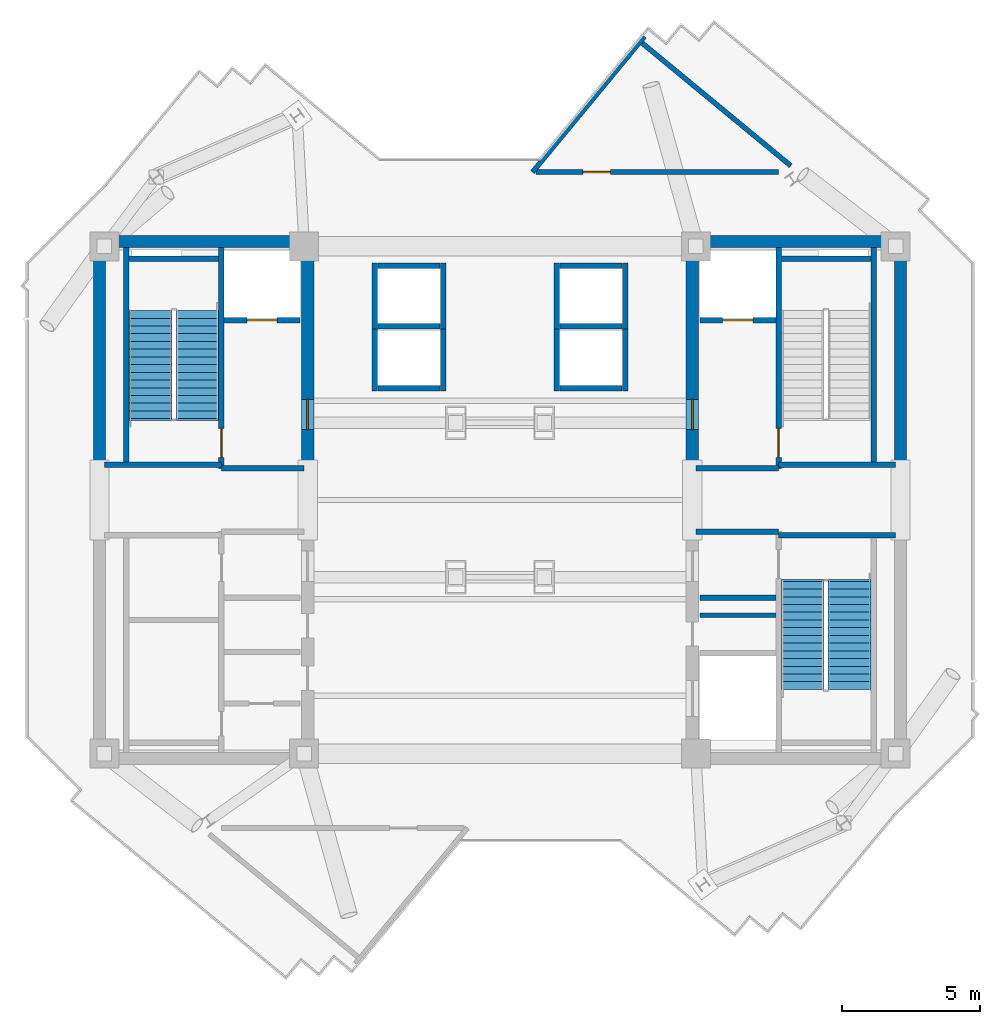
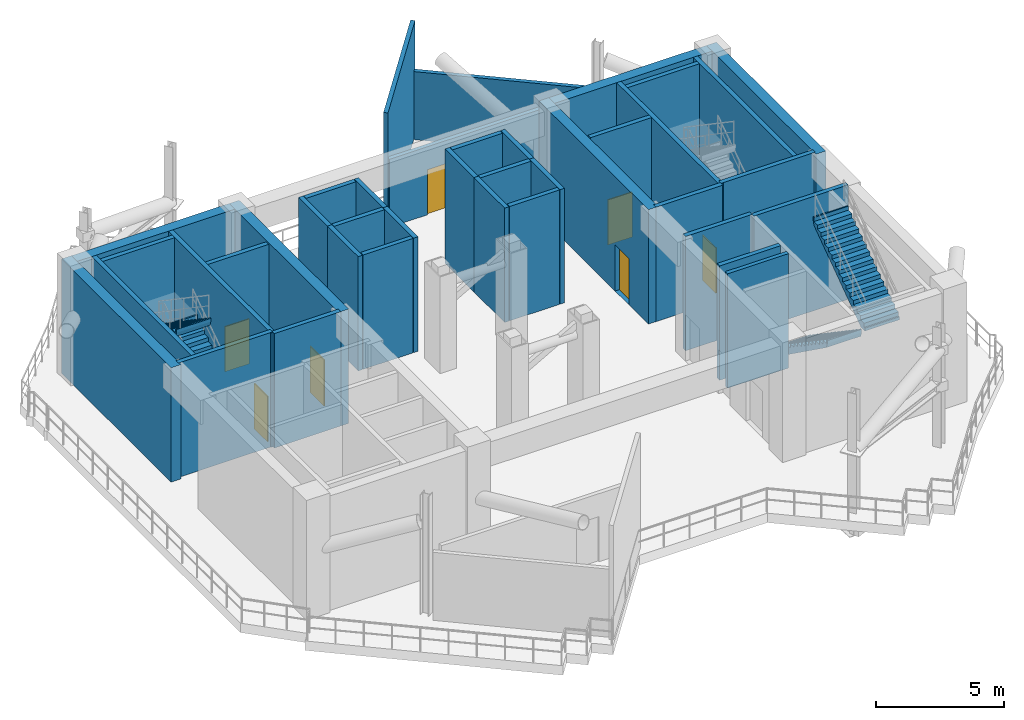
# One storey, part 3 of 7: 39 walls, 7 doors, 4 stair flights, 7 openings, 2 elements without a shape of their own.
"""IFC4 building model written with IfcOpenShell, lengths in metres."""

from ifc_helpers import new_model, si_unit, direction, frame, frame_2d, origin, place, context, subcontext, project, spatial, polyline, rectangle, outline, extrude, source, transform, mapped, material, layer, layer_set, type_object, element, fill, aggregate, save


model = new_model("IFC4")

# Units and contexts
model_context = context("Model", 3, precision=1e-05, world=origin(), true_north=direction((0.0, 1.0)))
body_context = subcontext(model_context, "Body", "Model", "MODEL_VIEW")
ifc_project = project(units=[si_unit("LENGTHUNIT", "METRE"), si_unit("AREAUNIT", "SQUARE_METRE"), si_unit("VOLUMEUNIT", "CUBIC_METRE"), si_unit("PLANEANGLEUNIT", "RADIAN"), si_unit("MASSUNIT", "GRAM", prefix="KILO")], contexts=[model_context])

# Site, building, storey
site_placement = place(None, origin())
site = spatial("IfcSite", under=ifc_project, at=site_placement, CompositionType="ELEMENT")
building_placement = place(site_placement, origin())
building = spatial("IfcBuilding", under=site, at=building_placement, Name="Zahravan Cultural Tower", CompositionType="ELEMENT")
storey_placement = place(building_placement, frame((0.0, 0.0, 314.10009765625)))
storey = spatial("IfcBuildingStorey", under=building, at=storey_placement, Name="L76", CompositionType="ELEMENT", Elevation=314.10009765625)

# Wall, opening, door
ifc_material_1 = material(Name="Concrete C50/60", Category="concrete")
ifc_layer_1 = layer(ifc_material_1, 0.449951171875)
ifc_layer_set_1 = layer_set([ifc_layer_1], Name="Concrete C50/60")
wall_type_1 = type_object("IfcWallType", Name="CW-SHEAR-450-C50", PredefinedType="SHEAR", material=ifc_layer_set_1)
wall_1_placement = place(storey_placement, frame((29.02490234375, 28.050048828125, 0.0), z_axis=(0.0, 0.0, 1.0), x_axis=(0.0, 1.0, 0.0)))
wall_1 = element("IfcWall", 1, at=wall_1_placement, inside=storey, type_object=wall_type_1, Name="L76 Core Shear Wall CW-W-EN-L76", PredefinedType="SHEAR", context=body_context, shape_type="SweptSolid", body=[
    extrude(rectangle(XDim=8.550048828125, YDim=0.449951171875, at=frame_2d((4.27490234375, 0.0))), origin(), (0.0, 0.0, 1.0), 5.449951171875),
])
opening_1_placement = place(wall_1_placement, frame((1.5, 0.0, 0.0)))
opening_1 = element("IfcOpeningElement", 2, at=opening_1_placement, cuts=wall_1, Name="Opening D-L76-06", PredefinedType="OPENING", context=body_context, shape_type="SweptSolid", body=[
    extrude(rectangle(XDim=1.10009765625, YDim=2.199951171875, at=frame_2d((0.550048828125, 1.10009765625))), frame((0.0, 0.23486328125, 0.0), z_axis=(0.0, -1.0, 0.0), x_axis=(1.0, 0.0, 0.0)), (0.0, 0.0, 1.0), 0.469970703125),
])
ifc_material_2 = material(Name="Steel ASTM A572 Grade 50", Category="steel")
door_type_1 = type_object("IfcDoorType", Name="DR-LOBBY-1100", OperationType="NOTDEFINED", PredefinedType="DOOR", material=ifc_material_2)
shared_shape_1 = source(origin(), body_context, "Body", "SweptSolid", [
    extrude(rectangle(XDim=1.10009765625, YDim=2.199951171875, at=frame_2d((0.550048828125, 1.10009765625))), frame((0.0, 0.02490234375, 0.0), z_axis=(0.0, -1.0, 0.0), x_axis=(1.0, 0.0, 0.0)), (0.0, 0.0, 1.0), 0.050048828125),
])
door_1_placement = place(opening_1_placement, origin())
door_1 = element("IfcDoor", 3, at=door_1_placement, inside=storey, type_object=door_type_1, Name="L76 Door D-L76-06", OperationType="SINGLE_SWING_LEFT", OverallHeight=2.199951171875, OverallWidth=1.10009765625, PredefinedType="DOOR", context=body_context, shape_type="MappedRepresentation", body=[
    mapped(shared_shape_1, transform((0.0, 0.0, 0.0), x_axis=(1.0, 0.0, 0.0), y_axis=(0.0, 1.0, 0.0), z_axis=(0.0, 0.0, 1.0), scale=1.0)),
])
fill(opening_1, door_1)

wall_2_placement = place(storey_placement, frame((42.97509765625, 28.050048828125, 0.0), z_axis=(0.0, 0.0, 1.0), x_axis=(0.0, 1.0, 0.0)))
wall_2 = element("IfcWall", 4, at=wall_2_placement, inside=storey, type_object=wall_type_1, Name="L76 Core Shear Wall CW-E-WN-L76", PredefinedType="SHEAR", context=body_context, shape_type="SweptSolid", body=[
    extrude(rectangle(XDim=8.550048828125, YDim=0.449951171875, at=frame_2d((4.27490234375, 0.0))), origin(), (0.0, 0.0, 1.0), 5.449951171875),
])
opening_2_placement = place(wall_2_placement, frame((1.5, 0.0, 0.0)))
opening_2 = element("IfcOpeningElement", 5, at=opening_2_placement, cuts=wall_2, Name="Opening D-L76-07", PredefinedType="OPENING", context=body_context, shape_type="SweptSolid", body=[
    extrude(rectangle(XDim=1.10009765625, YDim=2.199951171875, at=frame_2d((0.550048828125, 1.10009765625))), frame((0.0, 0.23486328125, 0.0), z_axis=(0.0, -1.0, 0.0), x_axis=(1.0, 0.0, 0.0)), (0.0, 0.0, 1.0), 0.469970703125),
])
door_2_placement = place(opening_2_placement, origin())
door_2 = element("IfcDoor", 6, at=door_2_placement, inside=storey, type_object=door_type_1, Name="L76 Door D-L76-07", OperationType="SINGLE_SWING_RIGHT", OverallHeight=2.199951171875, OverallWidth=1.10009765625, PredefinedType="DOOR", context=body_context, shape_type="MappedRepresentation", body=[
    mapped(shared_shape_1, transform((0.0, 0.0, 0.0), x_axis=(1.0, 0.0, 0.0), y_axis=(0.0, 1.0, 0.0), z_axis=(0.0, 0.0, 1.0), scale=1.0)),
])
fill(opening_2, door_2)

ifc_material_3 = material(Name="Gypsum plasterboard partition")
ifc_layer_2 = layer(ifc_material_3, 0.179931640625)
ifc_layer_set_2 = layer_set([ifc_layer_2], Name="Gypsum plasterboard partition")
wall_type_2 = type_object("IfcWallType", Name="W-COMP-180", PredefinedType="PARTITIONING", material=ifc_layer_set_2)
wall_3_placement = place(storey_placement, frame((46.097900390625, 38.889892578125, 0.0), z_axis=(0.0, 0.0, 1.0), x_axis=(-1.0, 0.0, 0.0)))
wall_3 = element("IfcWall", 7, at=wall_3_placement, inside=storey, type_object=wall_type_2, Name="L76 Interior Wall 046", PredefinedType="PARTITIONING", context=body_context, shape_type="SweptSolid", body=[
    extrude(rectangle(XDim=8.797119140625, YDim=0.179931640625, at=frame_2d((4.3984375, 0.0))), origin(), (0.0, 0.0, 1.0), 3.241943359375),
])
opening_3_placement = place(wall_3_placement, frame((6.095703125, 0.0, 0.0)))
opening_3 = element("IfcOpeningElement", 8, at=opening_3_placement, cuts=wall_3, Name="Opening D-L76-14", PredefinedType="OPENING", context=body_context, shape_type="SweptSolid", body=[
    extrude(rectangle(XDim=1.0, YDim=2.14990234375, at=frame_2d((0.5, 1.074951171875))), frame((0.0, 0.099853515625, 0.0), z_axis=(0.0, -1.0, 0.0), x_axis=(1.0, 0.0, 0.0)), (0.0, 0.0, 1.0), 0.199951171875),
])
door_type_2 = type_object("IfcDoorType", Name="DR-COMP-1000", OperationType="NOTDEFINED", PredefinedType="DOOR", material=ifc_material_2)
shared_shape_2 = source(origin(), body_context, "Body", "SweptSolid", [
    extrude(rectangle(XDim=1.0, YDim=2.14990234375, at=frame_2d((0.5, 1.074951171875))), frame((0.0, 0.02490234375, 0.0), z_axis=(0.0, -1.0, 0.0), x_axis=(1.0, 0.0, 0.0)), (0.0, 0.0, 1.0), 0.050048828125),
])
door_3_placement = place(opening_3_placement, origin())
door_3 = element("IfcDoor", 9, at=door_3_placement, inside=storey, type_object=door_type_2, Name="L76 Door D-L76-14", OperationType="SINGLE_SWING_LEFT", OverallHeight=2.14990234375, OverallWidth=1.0, PredefinedType="DOOR", context=body_context, shape_type="MappedRepresentation", body=[
    mapped(shared_shape_2, transform((0.0, 0.0, 0.0), x_axis=(1.0, 0.0, 0.0), y_axis=(0.0, 1.0, 0.0), z_axis=(0.0, 0.0, 1.0), scale=1.0)),
])
fill(opening_3, door_3)

ifc_material_4 = material(Name="Concrete C45/55", Category="concrete")
ifc_layer_3 = layer(ifc_material_4, 0.199951171875)
ifc_layer_set_3 = layer_set([ifc_layer_3], Name="Concrete C45/55")
wall_type_3 = type_object("IfcWallType", Name="W-SHAFT-200", PredefinedType="SOLIDWALL", material=ifc_layer_set_3)
wall_4_placement = place(storey_placement, frame((25.89990234375, 28.14990234375, 0.0), z_axis=(0.0, 0.0, 1.0), x_axis=(0.0, 1.0, 0.0)))
wall_4 = element("IfcWall", 10, at=wall_4_placement, inside=storey, type_object=wall_type_3, Name="L76 Interior Wall 006", PredefinedType="SOLIDWALL", context=body_context, shape_type="SweptSolid", body=[
    extrude(rectangle(XDim=8.0, YDim=0.199951171875, at=frame_2d((4.0, 0.0))), origin(), (0.0, 0.0, 1.0), 5.449951171875),
])
opening_4_placement = place(wall_4_placement, frame((0.39990234375, 0.0, 0.0)))
opening_4 = element("IfcOpeningElement", 11, at=opening_4_placement, cuts=wall_4, Name="Opening D-L76-01", PredefinedType="OPENING", context=body_context, shape_type="SweptSolid", body=[
    extrude(rectangle(XDim=1.050048828125, YDim=2.14990234375, at=frame_2d((0.52490234375, 1.074951171875))), frame((0.0, 0.10986328125, 0.0), z_axis=(0.0, -1.0, 0.0), x_axis=(1.0, 0.0, 0.0)), (0.0, 0.0, 1.0), 0.219970703125),
])
door_type_3 = type_object("IfcDoorType", Name="DR-STAIR-1050", OperationType="NOTDEFINED", PredefinedType="DOOR", material=ifc_material_2)
shared_shape_3 = source(origin(), body_context, "Body", "SweptSolid", [
    extrude(rectangle(XDim=1.050048828125, YDim=2.14990234375, at=frame_2d((0.52490234375, 1.074951171875))), frame((0.0, 0.02490234375, 0.0), z_axis=(0.0, -1.0, 0.0), x_axis=(1.0, 0.0, 0.0)), (0.0, 0.0, 1.0), 0.050048828125),
])
door_4_placement = place(opening_4_placement, origin())
door_4 = element("IfcDoor", 12, at=door_4_placement, inside=storey, type_object=door_type_3, Name="L76 Door D-L76-01", OperationType="SINGLE_SWING_RIGHT", OverallHeight=2.14990234375, OverallWidth=1.050048828125, PredefinedType="DOOR", context=body_context, shape_type="MappedRepresentation", body=[
    mapped(shared_shape_3, transform((0.0, 0.0, 0.0), x_axis=(1.0, 0.0, 0.0), y_axis=(0.0, 1.0, 0.0), z_axis=(0.0, 0.0, 1.0), scale=1.0)),
])
fill(opening_4, door_4)

wall_5_placement = place(storey_placement, frame((46.10009765625, 28.14990234375, 0.0), z_axis=(0.0, 0.0, 1.0), x_axis=(0.0, 1.0, 0.0)))
wall_5 = element("IfcWall", 13, at=wall_5_placement, inside=storey, type_object=wall_type_3, Name="L76 Interior Wall 008", PredefinedType="SOLIDWALL", context=body_context, shape_type="SweptSolid", body=[
    extrude(rectangle(XDim=8.0, YDim=0.199951171875, at=frame_2d((4.0, 0.0))), origin(), (0.0, 0.0, 1.0), 5.449951171875),
])
opening_5_placement = place(wall_5_placement, frame((0.39990234375, 0.0, 0.0)))
opening_5 = element("IfcOpeningElement", 14, at=opening_5_placement, cuts=wall_5, Name="Opening D-L76-02", PredefinedType="OPENING", context=body_context, shape_type="SweptSolid", body=[
    extrude(rectangle(XDim=1.050048828125, YDim=2.14990234375, at=frame_2d((0.52490234375, 1.074951171875))), frame((0.0, 0.10986328125, 0.0), z_axis=(0.0, -1.0, 0.0), x_axis=(1.0, 0.0, 0.0)), (0.0, 0.0, 1.0), 0.219970703125),
])
door_5_placement = place(opening_5_placement, origin())
door_5 = element("IfcDoor", 15, at=door_5_placement, inside=storey, type_object=door_type_3, Name="L76 Door D-L76-02", OperationType="SINGLE_SWING_LEFT", OverallHeight=2.14990234375, OverallWidth=1.050048828125, PredefinedType="DOOR", context=body_context, shape_type="MappedRepresentation", body=[
    mapped(shared_shape_3, transform((0.0, 0.0, 0.0), x_axis=(1.0, 0.0, 0.0), y_axis=(0.0, 1.0, 0.0), z_axis=(0.0, 0.0, 1.0), scale=1.0)),
])
fill(opening_5, door_5)

wall_6_placement = place(storey_placement, frame((26.0, 33.52001953125, 0.0), z_axis=(0.0, 0.0, 1.0), x_axis=(1.0, 0.0, 0.0)))
wall_6 = element("IfcWall", 16, at=wall_6_placement, inside=storey, type_object=wall_type_3, Name="L76 Interior Wall 022", PredefinedType="SOLIDWALL", context=body_context, shape_type="SweptSolid", body=[
    extrude(rectangle(XDim=2.75, YDim=0.199951171875, at=frame_2d((1.375, 0.0))), origin(), (0.0, 0.0, 1.0), 5.449951171875),
])
opening_6_placement = place(wall_6_placement, frame((0.820068359375, 0.0, 0.0)))
opening_6 = element("IfcOpeningElement", 17, at=opening_6_placement, cuts=wall_6, Name="Opening LD-L76-01", PredefinedType="OPENING", context=body_context, shape_type="SweptSolid", body=[
    extrude(rectangle(XDim=1.10009765625, YDim=2.14990234375, at=frame_2d((0.550048828125, 1.074951171875))), frame((0.0, 0.10986328125, 0.0), z_axis=(0.0, -1.0, 0.0), x_axis=(1.0, 0.0, 0.0)), (0.0, 0.0, 1.0), 0.219970703125),
])
door_type_4 = type_object("IfcDoorType", Name="DR-LIFT-1100", OperationType="DOUBLE_DOOR_SLIDING", PredefinedType="DOOR", material=ifc_material_2)
shared_shape_4 = source(origin(), body_context, "Body", "SweptSolid", [
    extrude(rectangle(XDim=1.10009765625, YDim=2.14990234375, at=frame_2d((0.550048828125, 1.074951171875))), frame((0.0, 0.02490234375, 0.0), z_axis=(0.0, -1.0, 0.0), x_axis=(1.0, 0.0, 0.0)), (0.0, 0.0, 1.0), 0.050048828125),
])
door_6_placement = place(opening_6_placement, origin())
door_6 = element("IfcDoor", 18, at=door_6_placement, inside=storey, type_object=door_type_4, Name="L76 Door LD-L76-01", OperationType="DOUBLE_DOOR_SLIDING", OverallHeight=2.14990234375, OverallWidth=1.10009765625, PredefinedType="DOOR", context=body_context, shape_type="MappedRepresentation", body=[
    mapped(shared_shape_4, transform((0.0, 0.0, 0.0), x_axis=(1.0, 0.0, 0.0), y_axis=(0.0, 1.0, 0.0), z_axis=(0.0, 0.0, 1.0), scale=1.0)),
])
fill(opening_6, door_6)

wall_7_placement = place(storey_placement, frame((43.25, 33.52001953125, 0.0), z_axis=(0.0, 0.0, 1.0), x_axis=(1.0, 0.0, 0.0)))
wall_7 = element("IfcWall", 19, at=wall_7_placement, inside=storey, type_object=wall_type_3, Name="L76 Interior Wall 023", PredefinedType="SOLIDWALL", context=body_context, shape_type="SweptSolid", body=[
    extrude(rectangle(XDim=2.75, YDim=0.199951171875, at=frame_2d((1.375, 0.0))), origin(), (0.0, 0.0, 1.0), 5.449951171875),
])
opening_7_placement = place(wall_7_placement, frame((0.820068359375, 0.0, 0.0)))
opening_7 = element("IfcOpeningElement", 20, at=opening_7_placement, cuts=wall_7, Name="Opening LD-L76-02", PredefinedType="OPENING", context=body_context, shape_type="SweptSolid", body=[
    extrude(rectangle(XDim=1.10009765625, YDim=2.14990234375, at=frame_2d((0.550048828125, 1.074951171875))), frame((0.0, 0.10986328125, 0.0), z_axis=(0.0, -1.0, 0.0), x_axis=(1.0, 0.0, 0.0)), (0.0, 0.0, 1.0), 0.219970703125),
])
door_7_placement = place(opening_7_placement, origin())
door_7 = element("IfcDoor", 21, at=door_7_placement, inside=storey, type_object=door_type_4, Name="L76 Door LD-L76-02", OperationType="DOUBLE_DOOR_SLIDING", OverallHeight=2.14990234375, OverallWidth=1.10009765625, PredefinedType="DOOR", context=body_context, shape_type="MappedRepresentation", body=[
    mapped(shared_shape_4, transform((0.0, 0.0, 0.0), x_axis=(1.0, 0.0, 0.0), y_axis=(0.0, 1.0, 0.0), z_axis=(0.0, 0.0, 1.0), scale=1.0)),
])
fill(opening_7, door_7)

# Walls
shared_shape_5 = source(origin(), body_context, "Body", "SweptSolid", [
    extrude(rectangle(XDim=8.550048828125, YDim=0.449951171875, at=frame_2d((4.27490234375, 0.0))), origin(), (0.0, 0.0, 1.0), 5.449951171875),
])
for number, where, z_axis, x_axis, name in (
    (22, (21.47509765625, 28.050048828125, 0.0), (0.0, 0.0, 1.0), (0.0, 1.0, 0.0), "L76 Core Shear Wall CW-W-WN-L76"),
    (23, (50.52490234375, 28.050048828125, 0.0), (0.0, 0.0, 1.0), (0.0, 1.0, 0.0), "L76 Core Shear Wall CW-E-EN-L76"),
):
    element("IfcWall", number, at=place(storey_placement, frame(where, z_axis=z_axis, x_axis=x_axis)), inside=storey, type_object=wall_type_1, Name=name, PredefinedType="SHEAR", context=body_context, shape_type="MappedRepresentation", body=[
        mapped(shared_shape_5, transform((0.0, 0.0, 0.0), x_axis=(1.0, 0.0, 0.0), y_axis=(0.0, 1.0, 0.0), z_axis=(0.0, 0.0, 1.0), scale=1.0)),
    ])
shared_shape_6 = source(origin(), body_context, "Body", "SweptSolid", [
    extrude(rectangle(XDim=7.10009765625, YDim=0.449951171875, at=frame_2d((3.550048828125, 0.0))), origin(), (0.0, 0.0, 1.0), 5.449951171875),
])
for number, where, z_axis, x_axis, name in (
    (24, (21.699951171875, 36.375, 0.0), (0.0, 0.0, 1.0), (1.0, 0.0, 0.0), "L76 Core Shear Wall CW-W-N-L76"),
    (25, (43.199951171875, 36.375, 0.0), (0.0, 0.0, 1.0), (1.0, 0.0, 0.0), "L76 Core Shear Wall CW-E-N-L76"),
):
    element("IfcWall", number, at=place(storey_placement, frame(where, z_axis=z_axis, x_axis=x_axis)), inside=storey, type_object=wall_type_1, Name=name, PredefinedType="SHEAR", context=body_context, shape_type="MappedRepresentation", body=[
        mapped(shared_shape_6, transform((0.0, 0.0, 0.0), x_axis=(1.0, 0.0, 0.0), y_axis=(0.0, 1.0, 0.0), z_axis=(0.0, 0.0, 1.0), scale=1.0)),
    ])
shared_shape_7 = source(origin(), body_context, "Body", "SweptSolid", [
    extrude(rectangle(XDim=7.869873046875, YDim=0.199951171875, at=frame_2d((3.93505859375, 0.0))), origin(), (0.0, 0.0, 1.0), 5.449951171875),
])
for number, where, z_axis, x_axis, name in (
    (26, (22.449951171875, 28.280029296875, 0.0), (0.0, 0.0, 1.0), (0.0, 1.0, 0.0), "L76 Interior Wall 002"),
    (27, (49.550048828125, 28.280029296875, 0.0), (0.0, 0.0, 1.0), (0.0, 1.0, 0.0), "L76 Interior Wall 004"),
):
    element("IfcWall", number, at=place(storey_placement, frame(where, z_axis=z_axis, x_axis=x_axis)), inside=storey, type_object=wall_type_3, Name=name, PredefinedType="SOLIDWALL", context=body_context, shape_type="MappedRepresentation", body=[
        mapped(shared_shape_7, transform((0.0, 0.0, 0.0), x_axis=(1.0, 0.0, 0.0), y_axis=(0.0, 1.0, 0.0), z_axis=(0.0, 0.0, 1.0), scale=1.0)),
    ])
shared_shape_8 = source(origin(), body_context, "Body", "SweptSolid", [
    extrude(rectangle(XDim=4.25, YDim=0.199951171875, at=frame_2d((2.125, 0.0))), origin(), (0.0, 0.0, 1.0), 5.449951171875),
])
for number, where, z_axis, x_axis, name in (
    (28, (21.64990234375, 28.284912109375, 0.0), (0.0, 0.0, 1.0), (1.0, 0.0, 0.0), "L76 Interior Wall 011"),
    (29, (46.10009765625, 25.715087890625, 0.0), (0.0, 0.0, 1.0), (1.0, 0.0, 0.0), "L76 Interior Wall 014"),
    (30, (46.10009765625, 28.284912109375, 0.0), (0.0, 0.0, 1.0), (1.0, 0.0, 0.0), "L76 Interior Wall 016"),
):
    element("IfcWall", number, at=place(storey_placement, frame(where, z_axis=z_axis, x_axis=x_axis)), inside=storey, type_object=wall_type_3, Name=name, PredefinedType="SOLIDWALL", context=body_context, shape_type="MappedRepresentation", body=[
        mapped(shared_shape_8, transform((0.0, 0.0, 0.0), x_axis=(1.0, 0.0, 0.0), y_axis=(0.0, 1.0, 0.0), z_axis=(0.0, 0.0, 1.0), scale=1.0)),
    ])
shared_shape_9 = source(origin(), body_context, "Body", "SweptSolid", [
    extrude(rectangle(XDim=3.0, YDim=0.199951171875, at=frame_2d((1.5, 0.0))), origin(), (0.0, 0.0, 1.0), 5.449951171875),
])
for number, where, z_axis, x_axis, name in (
    (31, (25.89990234375, 28.14990234375, 0.0), (0.0, 0.0, 1.0), (1.0, 0.0, 0.0), "L76 Interior Wall 012"),
    (32, (43.10009765625, 25.85009765625, 0.0), (0.0, 0.0, 1.0), (1.0, 0.0, 0.0), "L76 Interior Wall 013"),
    (33, (43.10009765625, 28.14990234375, 0.0), (0.0, 0.0, 1.0), (1.0, 0.0, 0.0), "L76 Interior Wall 015"),
):
    element("IfcWall", number, at=place(storey_placement, frame(where, z_axis=z_axis, x_axis=x_axis)), inside=storey, type_object=wall_type_3, Name=name, PredefinedType="SOLIDWALL", context=body_context, shape_type="MappedRepresentation", body=[
        mapped(shared_shape_9, transform((0.0, 0.0, 0.0), x_axis=(1.0, 0.0, 0.0), y_axis=(0.0, 1.0, 0.0), z_axis=(0.0, 0.0, 1.0), scale=1.0)),
    ])
shared_shape_10 = source(origin(), body_context, "Body", "SweptSolid", [
    extrude(rectangle(XDim=3.25, YDim=0.199951171875, at=frame_2d((1.625, 0.0))), origin(), (0.0, 0.0, 1.0), 5.449951171875),
])
for number, where, z_axis, x_axis, name in (
    (34, (22.550048828125, 35.75, 0.0), (0.0, 0.0, 1.0), (1.0, 0.0, 0.0), "L76 Interior Wall 017"),
    (35, (46.199951171875, 35.75, 0.0), (0.0, 0.0, 1.0), (1.0, 0.0, 0.0), "L76 Interior Wall 018"),
):
    element("IfcWall", number, at=place(storey_placement, frame(where, z_axis=z_axis, x_axis=x_axis)), inside=storey, type_object=wall_type_3, Name=name, PredefinedType="SOLIDWALL", context=body_context, shape_type="MappedRepresentation", body=[
        mapped(shared_shape_10, transform((0.0, 0.0, 0.0), x_axis=(1.0, 0.0, 0.0), y_axis=(0.0, 1.0, 0.0), z_axis=(0.0, 0.0, 1.0), scale=1.0)),
    ])
shared_shape_11 = source(origin(), body_context, "Body", "SweptSolid", [
    extrude(rectangle(XDim=2.75, YDim=0.199951171875, at=frame_2d((1.375, 0.0))), origin(), (0.0, 0.0, 1.0), 5.449951171875),
])
wall_8_placement = place(storey_placement, frame((43.25, 23.449951171875, 0.0), z_axis=(0.0, 0.0, 1.0), x_axis=(1.0, 0.0, 0.0)))
element("IfcWall", 36, at=wall_8_placement, inside=storey, type_object=wall_type_3, Name="L76 Interior Wall 025", PredefinedType="SOLIDWALL", context=body_context, shape_type="MappedRepresentation", body=[
    mapped(shared_shape_11, transform((0.0, 0.0, 0.0), x_axis=(1.0, 0.0, 0.0), y_axis=(0.0, 1.0, 0.0), z_axis=(0.0, 0.0, 1.0), scale=1.0)),
])
shared_shape_12 = source(origin(), body_context, "Body", "SweptSolid", [
    extrude(rectangle(XDim=2.75, YDim=0.179931640625, at=frame_2d((1.375, 0.0))), origin(), (0.0, 0.0, 1.0), 5.449951171875),
])
wall_9_placement = place(storey_placement, frame((43.25, 22.820068359375, 0.0), z_axis=(0.0, 0.0, 1.0), x_axis=(1.0, 0.0, 0.0)))
element("IfcWall", 37, at=wall_9_placement, inside=storey, type_object=wall_type_2, Name="L76 Interior Wall 029", PredefinedType="PARTITIONING", context=body_context, shape_type="MappedRepresentation", body=[
    mapped(shared_shape_12, transform((0.0, 0.0, 0.0), x_axis=(1.0, 0.0, 0.0), y_axis=(0.0, 1.0, 0.0), z_axis=(0.0, 0.0, 1.0), scale=1.0)),
])
shared_shape_13 = source(origin(), body_context, "Body", "SweptSolid", [
    extrude(rectangle(XDim=2.400146484375, YDim=0.199951171875, at=frame_2d((1.2001953125, 0.0))), origin(), (0.0, 0.0, 1.0), 5.449951171875),
])
for number, where, z_axis, x_axis, name in (
    (38, (31.449951171875, 33.199951171875, 0.0), (0.0, 0.0, 1.0), (0.0, 1.0, 0.0), "L76 Interior Wall 030"),
    (39, (33.949951171875, 33.199951171875, 0.0), (0.0, 0.0, 1.0), (0.0, 1.0, 0.0), "L76 Interior Wall 031"),
    (40, (31.449951171875, 30.949951171875, 0.0), (0.0, 0.0, 1.0), (0.0, 1.0, 0.0), "L76 Interior Wall 034"),
    (41, (33.949951171875, 30.949951171875, 0.0), (0.0, 0.0, 1.0), (0.0, 1.0, 0.0), "L76 Interior Wall 035"),
    (42, (38.050048828125, 33.199951171875, 0.0), (0.0, 0.0, 1.0), (0.0, 1.0, 0.0), "L76 Interior Wall 037"),
    (43, (40.550048828125, 33.199951171875, 0.0), (0.0, 0.0, 1.0), (0.0, 1.0, 0.0), "L76 Interior Wall 038"),
    (44, (38.050048828125, 30.949951171875, 0.0), (0.0, 0.0, 1.0), (0.0, 1.0, 0.0), "L76 Interior Wall 041"),
    (45, (40.550048828125, 30.949951171875, 0.0), (0.0, 0.0, 1.0), (0.0, 1.0, 0.0), "L76 Interior Wall 042"),
):
    element("IfcWall", number, at=place(storey_placement, frame(where, z_axis=z_axis, x_axis=x_axis)), inside=storey, type_object=wall_type_3, Name=name, PredefinedType="SOLIDWALL", context=body_context, shape_type="MappedRepresentation", body=[
        mapped(shared_shape_13, transform((0.0, 0.0, 0.0), x_axis=(1.0, 0.0, 0.0), y_axis=(0.0, 1.0, 0.0), z_axis=(0.0, 0.0, 1.0), scale=1.0)),
    ])
shared_shape_14 = source(origin(), body_context, "Body", "SweptSolid", [
    extrude(rectangle(XDim=2.260009765625, YDim=0.199951171875, at=frame_2d((1.1298828125, 0.0))), origin(), (0.0, 0.0, 1.0), 5.449951171875),
])
for number, where, z_axis, x_axis, name in (
    (46, (31.570068359375, 33.300048828125, 0.0), (0.0, 0.0, 1.0), (1.0, 0.0, 0.0), "L76 Interior Wall 032"),
    (47, (31.570068359375, 35.5, 0.0), (0.0, 0.0, 1.0), (1.0, 0.0, 0.0), "L76 Interior Wall 033"),
    (48, (31.570068359375, 31.050048828125, 0.0), (0.0, 0.0, 1.0), (1.0, 0.0, 0.0), "L76 Interior Wall 036"),
    (49, (38.169921875, 33.300048828125, 0.0), (0.0, 0.0, 1.0), (1.0, 0.0, 0.0), "L76 Interior Wall 039"),
    (50, (38.169921875, 35.5, 0.0), (0.0, 0.0, 1.0), (1.0, 0.0, 0.0), "L76 Interior Wall 040"),
    (51, (38.169921875, 31.050048828125, 0.0), (0.0, 0.0, 1.0), (1.0, 0.0, 0.0), "L76 Interior Wall 043"),
):
    element("IfcWall", number, at=place(storey_placement, frame(where, z_axis=z_axis, x_axis=x_axis)), inside=storey, type_object=wall_type_3, Name=name, PredefinedType="SOLIDWALL", context=body_context, shape_type="MappedRepresentation", body=[
        mapped(shared_shape_14, transform((0.0, 0.0, 0.0), x_axis=(1.0, 0.0, 0.0), y_axis=(0.0, 1.0, 0.0), z_axis=(0.0, 0.0, 1.0), scale=1.0)),
    ])
shared_shape_15 = source(origin(), body_context, "Body", "SweptSolid", [
    extrude(rectangle(XDim=6.380126953125, YDim=0.179931640625, at=frame_2d((3.18994140625, 0.0))), origin(), (0.0, 0.0, 1.0), 5.449951171875),
])
wall_10_placement = place(storey_placement, frame((37.177734375, 38.889892578125, 0.0), z_axis=(0.0, 0.0, 1.0), x_axis=(0.636503619764, 0.771273714078, 0.0)))
element("IfcWall", 52, at=wall_10_placement, inside=storey, type_object=wall_type_2, Name="L76 Interior Wall 044", PredefinedType="PARTITIONING", context=body_context, shape_type="MappedRepresentation", body=[
    mapped(shared_shape_15, transform((0.0, 0.0, 0.0), x_axis=(1.0, 0.0, 0.0), y_axis=(0.0, 1.0, 0.0), z_axis=(0.0, 0.0, 1.0), scale=1.0)),
])
shared_shape_16 = source(origin(), body_context, "Body", "SweptSolid", [
    extrude(rectangle(XDim=6.982421875, YDim=0.179931640625, at=frame_2d((3.4912109375, 0.0))), origin(), (0.0, 0.0, 1.0), 3.241943359375),
])
wall_11_placement = place(storey_placement, frame((41.1591796875, 43.565185546875, 0.0), z_axis=(0.0, 0.0, 1.0), x_axis=(0.7712505433, -0.636531695565, 0.0)))
element("IfcWall", 53, at=wall_11_placement, inside=storey, type_object=wall_type_2, Name="L76 Interior Wall 045", PredefinedType="PARTITIONING", context=body_context, shape_type="MappedRepresentation", body=[
    mapped(shared_shape_16, transform((0.0, 0.0, 0.0), x_axis=(1.0, 0.0, 0.0), y_axis=(0.0, 1.0, 0.0), z_axis=(0.0, 0.0, 1.0), scale=1.0)),
])

# Stair, stair flights
stair_type = type_object("IfcStairType", Name="STR-DL-1550-570", PredefinedType="HALF_TURN_STAIR", material=ifc_material_4)
stair_1_placement = place(storey_placement, origin())
stair_1 = element("IfcStair", 54, at=stair_1_placement, inside=storey, type_object=stair_type, Name="L76 West Core North Exit Stair ST-W1", PredefinedType="HALF_TURN_STAIR")
stair_flight_type = type_object("IfcStairFlightType", Name="FLG-DL-1550-570", PredefinedType="STRAIGHT", material=ifc_material_4)
stair_flight_1_placement = place(storey_placement, frame((25.02490234375, 29.949951171875, 0.0), z_axis=(0.0, 0.0, 1.0), x_axis=(0.0, 1.0, 0.0)))
stair_flight_1 = element("IfcStairFlight", 55, at=stair_flight_1_placement, type_object=stair_flight_type, Name="ST-W1 flight 1", NumberOfRisers=15, NumberOfTreads=14, PredefinedType="STRAIGHT", RiserHeight=0.19, TreadLength=0.28, context=body_context, shape_type="SweptSolid", body=[
    extrude(outline(polyline([(-0.06494140625, -0.139892578125), (-0.06494140625, 0.0), (0.0, 0.0), (0.0, 0.18994140625), (0.280029296875, 0.18994140625), (0.280029296875, 0.3798828125), (0.56005859375, 0.3798828125), (0.56005859375, 0.570068359375), (0.840087890625, 0.570068359375), (0.840087890625, 0.760009765625), (1.1201171875, 0.760009765625), (1.1201171875, 0.949951171875), (1.39990234375, 0.949951171875), (1.39990234375, 1.139892578125), (1.679931640625, 1.139892578125), (1.679931640625, 1.330078125), (1.9599609375, 1.330078125), (1.9599609375, 1.52001953125), (2.239990234375, 1.52001953125), (2.239990234375, 1.7099609375), (2.52001953125, 1.7099609375), (2.52001953125, 1.89990234375), (2.800048828125, 1.89990234375), (2.800048828125, 2.090087890625), (3.080078125, 2.090087890625), (3.080078125, 2.280029296875), (3.360107421875, 2.280029296875), (3.360107421875, 2.469970703125), (3.639892578125, 2.469970703125), (3.639892578125, 2.659912109375), (3.919921875, 2.659912109375), (3.919921875, 2.85009765625), (3.985107421875, 2.85009765625), (3.985107421875, 2.7001953125), (3.919921875, 2.478759765625), (0.266845703125, -0.139892578125), (-0.06494140625, -0.139892578125)])), frame((0.0, 0.77490234375, 0.0), z_axis=(0.0, -1.0, 0.0), x_axis=(1.0, 0.0, 0.0)), (0.0, 0.0, 1.0), 1.550048828125),
])
stair_flight_2_placement = place(storey_placement, frame((23.324951171875, 33.8701171875, 2.849853515625), z_axis=(0.0, 0.0, 1.0), x_axis=(0.0, -1.0, 0.0)))
stair_flight_2 = element("IfcStairFlight", 56, at=stair_flight_2_placement, type_object=stair_flight_type, Name="ST-W1 flight 2", NumberOfRisers=15, NumberOfTreads=14, PredefinedType="STRAIGHT", RiserHeight=0.19, TreadLength=0.28, context=body_context, shape_type="SweptSolid", body=[
    extrude(outline(polyline([(-0.06494140625, -0.139892578125), (-0.06494140625, 0.0), (0.0, 0.0), (0.0, 0.18994140625), (0.280029296875, 0.18994140625), (0.280029296875, 0.3798828125), (0.56005859375, 0.3798828125), (0.56005859375, 0.570068359375), (0.840087890625, 0.570068359375), (0.840087890625, 0.760009765625), (1.1201171875, 0.760009765625), (1.1201171875, 0.949951171875), (1.39990234375, 0.949951171875), (1.39990234375, 1.139892578125), (1.679931640625, 1.139892578125), (1.679931640625, 1.330078125), (1.9599609375, 1.330078125), (1.9599609375, 1.52001953125), (2.239990234375, 1.52001953125), (2.239990234375, 1.7099609375), (2.52001953125, 1.7099609375), (2.52001953125, 1.89990234375), (2.800048828125, 1.89990234375), (2.800048828125, 2.090087890625), (3.080078125, 2.090087890625), (3.080078125, 2.280029296875), (3.360107421875, 2.280029296875), (3.360107421875, 2.469970703125), (3.639892578125, 2.469970703125), (3.639892578125, 2.659912109375), (3.919921875, 2.659912109375), (3.919921875, 2.85009765625), (3.985107421875, 2.85009765625), (3.985107421875, 2.7001953125), (3.919921875, 2.478759765625), (0.266845703125, -0.139892578125), (-0.06494140625, -0.139892578125)])), frame((0.0, 0.77490234375, 0.0), z_axis=(0.0, -1.0, 0.0), x_axis=(1.0, 0.0, 0.0)), (0.0, 0.0, 1.0), 1.550048828125),
])
aggregate(stair_1, [stair_flight_1, stair_flight_2])

stair_2_placement = place(storey_placement, origin())
stair_2 = element("IfcStair", 57, at=stair_2_placement, inside=storey, type_object=stair_type, Name="L76 East Core South Exit Stair ST-E2", PredefinedType="HALF_TURN_STAIR")
stair_flight_3_placement = place(storey_placement, frame((46.97509765625, 24.050048828125, 0.0), z_axis=(0.0, 0.0, 1.0), x_axis=(0.0, -1.0, 0.0)))
stair_flight_3 = element("IfcStairFlight", 58, at=stair_flight_3_placement, type_object=stair_flight_type, Name="ST-E2 flight 1", NumberOfRisers=15, NumberOfTreads=14, PredefinedType="STRAIGHT", RiserHeight=0.19, TreadLength=0.28, context=body_context, shape_type="SweptSolid", body=[
    extrude(outline(polyline([(-0.06494140625, -0.139892578125), (-0.06494140625, 0.0), (0.0, 0.0), (0.0, 0.18994140625), (0.280029296875, 0.18994140625), (0.280029296875, 0.3798828125), (0.56005859375, 0.3798828125), (0.56005859375, 0.570068359375), (0.840087890625, 0.570068359375), (0.840087890625, 0.760009765625), (1.1201171875, 0.760009765625), (1.1201171875, 0.949951171875), (1.39990234375, 0.949951171875), (1.39990234375, 1.139892578125), (1.679931640625, 1.139892578125), (1.679931640625, 1.330078125), (1.9599609375, 1.330078125), (1.9599609375, 1.52001953125), (2.239990234375, 1.52001953125), (2.239990234375, 1.7099609375), (2.52001953125, 1.7099609375), (2.52001953125, 1.89990234375), (2.800048828125, 1.89990234375), (2.800048828125, 2.090087890625), (3.080078125, 2.090087890625), (3.080078125, 2.280029296875), (3.360107421875, 2.280029296875), (3.360107421875, 2.469970703125), (3.639892578125, 2.469970703125), (3.639892578125, 2.659912109375), (3.919921875, 2.659912109375), (3.919921875, 2.85009765625), (3.985107421875, 2.85009765625), (3.985107421875, 2.7001953125), (3.919921875, 2.478759765625), (0.266845703125, -0.139892578125), (-0.06494140625, -0.139892578125)])), frame((0.0, 0.77490234375, 0.0), z_axis=(0.0, -1.0, 0.0), x_axis=(1.0, 0.0, 0.0)), (0.0, 0.0, 1.0), 1.550048828125),
])
stair_flight_4_placement = place(storey_placement, frame((48.675048828125, 20.1298828125, 2.849853515625), z_axis=(0.0, 0.0, 1.0), x_axis=(0.0, 1.0, 0.0)))
stair_flight_4 = element("IfcStairFlight", 59, at=stair_flight_4_placement, type_object=stair_flight_type, Name="ST-E2 flight 2", NumberOfRisers=15, NumberOfTreads=14, PredefinedType="STRAIGHT", RiserHeight=0.19, TreadLength=0.28, context=body_context, shape_type="SweptSolid", body=[
    extrude(outline(polyline([(-0.06494140625, -0.139892578125), (-0.06494140625, 0.0), (0.0, 0.0), (0.0, 0.18994140625), (0.280029296875, 0.18994140625), (0.280029296875, 0.3798828125), (0.56005859375, 0.3798828125), (0.56005859375, 0.570068359375), (0.840087890625, 0.570068359375), (0.840087890625, 0.760009765625), (1.1201171875, 0.760009765625), (1.1201171875, 0.949951171875), (1.39990234375, 0.949951171875), (1.39990234375, 1.139892578125), (1.679931640625, 1.139892578125), (1.679931640625, 1.330078125), (1.9599609375, 1.330078125), (1.9599609375, 1.52001953125), (2.239990234375, 1.52001953125), (2.239990234375, 1.7099609375), (2.52001953125, 1.7099609375), (2.52001953125, 1.89990234375), (2.800048828125, 1.89990234375), (2.800048828125, 2.090087890625), (3.080078125, 2.090087890625), (3.080078125, 2.280029296875), (3.360107421875, 2.280029296875), (3.360107421875, 2.469970703125), (3.639892578125, 2.469970703125), (3.639892578125, 2.659912109375), (3.919921875, 2.659912109375), (3.919921875, 2.85009765625), (3.985107421875, 2.85009765625), (3.985107421875, 2.7001953125), (3.919921875, 2.478759765625), (0.266845703125, -0.139892578125), (-0.06494140625, -0.139892578125)])), frame((0.0, 0.77490234375, 0.0), z_axis=(0.0, -1.0, 0.0), x_axis=(1.0, 0.0, 0.0)), (0.0, 0.0, 1.0), 1.550048828125),
])
aggregate(stair_2, [stair_flight_3, stair_flight_4])

save(model, "model.ifc")
